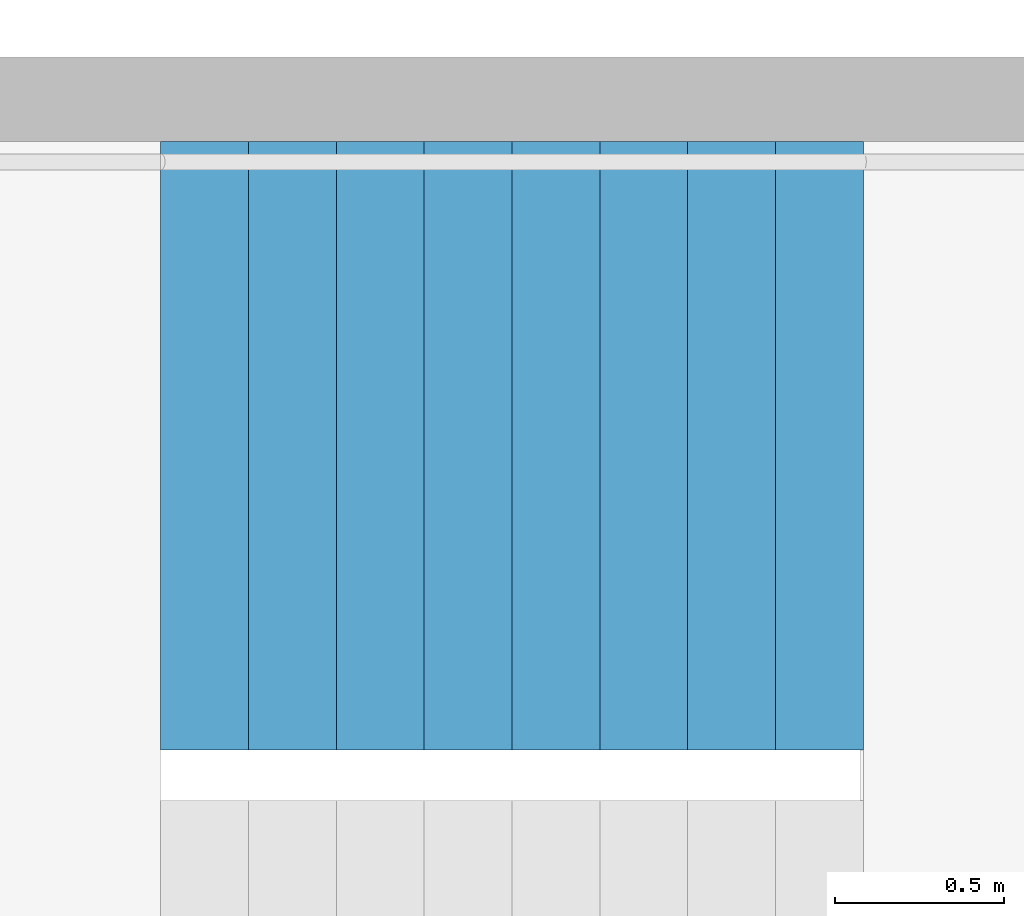
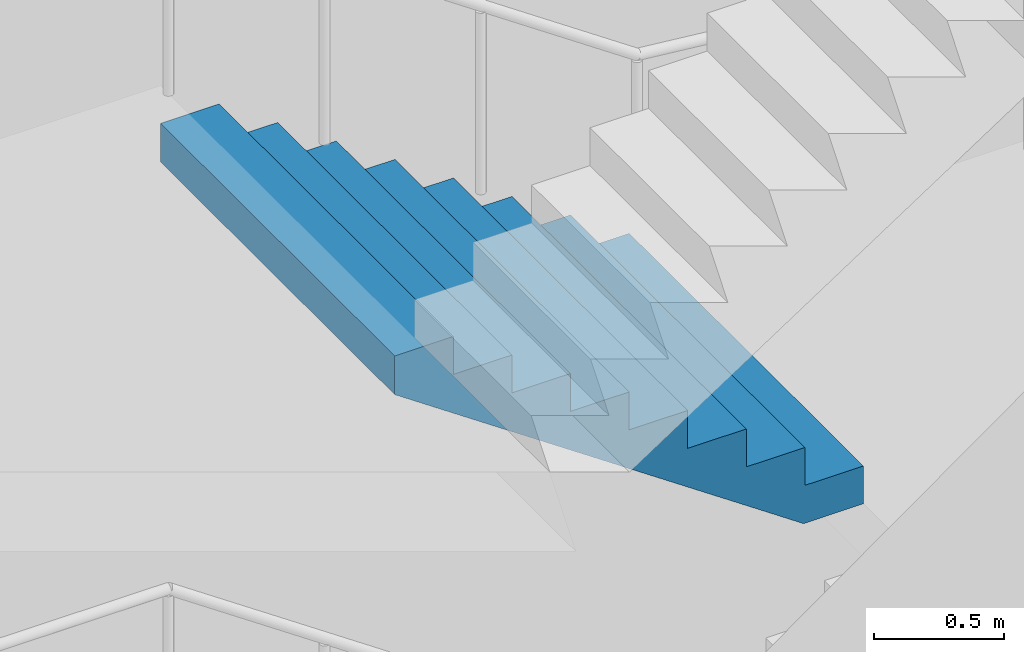
# One storey, part 19 of 42: 1 stair flight, 1 element without a shape of its own.
"""IFC4 building model written with IfcOpenShell, lengths in metres."""

from ifc_helpers import new_model, si_unit, direction, frame, origin, place, context, subcontext, project, spatial, triangles, material, type_object, element, aggregate, save


model = new_model("IFC4")

# Units and contexts
model_context = context("Model", 3, precision=1e-05, world=origin(), true_north=direction((0.0, 1.0)))
body_context = subcontext(model_context, "Body", "Model", "MODEL_VIEW")
ifc_project = project(units=[si_unit("LENGTHUNIT", "METRE"), si_unit("AREAUNIT", "SQUARE_METRE"), si_unit("VOLUMEUNIT", "CUBIC_METRE"), si_unit("PLANEANGLEUNIT", "RADIAN"), si_unit("MASSUNIT", "GRAM", prefix="KILO")], contexts=[model_context])

# Site, building, storey
site_placement = place(None, origin())
site = spatial("IfcSite", under=ifc_project, at=site_placement, CompositionType="ELEMENT")
building_placement = place(site_placement, origin())
building = spatial("IfcBuilding", under=site, at=building_placement, Name="Hakoniwa Tower and Hamabe Station Hall", CompositionType="ELEMENT")
storey_placement = place(building_placement, frame((0.0, 0.0, 232.60009765625)))
storey = spatial("IfcBuildingStorey", under=building, at=storey_placement, Name="L66", CompositionType="ELEMENT", Elevation=232.60009765625)

# Stair, stair flight
ifc_material_1 = material(Name="Concrete C40", Category="concrete")
stair_type = type_object("IfcStairType", Name="ESCAPE STAIR 1800", PredefinedType="HALF_TURN_STAIR", material=ifc_material_1)
stair_placement = place(storey_placement, origin())
stair = element("IfcStair", 1, at=stair_placement, inside=storey, type_object=stair_type, Name="Escape stair ST-2 L66", PredefinedType="HALF_TURN_STAIR")
ifc_material_2 = material(Name="Concrete C40", Category="concrete")
stair_flight_type = type_object("IfcStairFlightType", Name="STAIR FLIGHT 1800", PredefinedType="STRAIGHT", material=ifc_material_2)
stair_flight_placement = place(storey_placement, frame((-23.39990234375, -4.64990234375, 3.199951171875), z_axis=(0.0, 0.0, 1.0), x_axis=(-1.0, 0.0, 0.0)))
stair_flight = element("IfcStairFlight", 2, at=stair_flight_placement, type_object=stair_flight_type, Name="ST-2 flight 3", NumberOfRisers=9, NumberOfTreads=8, PredefinedType="STRAIGHT", RiserHeight=0.177777778, TreadLength=0.26, context=body_context, shape_type="Tessellation", body=[
    triangles([(0.0, 0.89990234375, 0.0), (0.260009765625, 0.89990234375, 0.0), (0.265625, 0.89990234375, 0.0), (0.52001953125, 0.89990234375, 0.174072265625), (0.780029296875, 0.89990234375, 0.351806640625), (1.0400390625, 0.89990234375, 0.529541015625), (1.300048828125, 0.89990234375, 0.707275390625), (1.56005859375, 0.89990234375, 0.885009765625), (1.820068359375, 0.89990234375, 1.062744140625), (2.080078125, 0.89990234375, 1.24072265625), (2.080078125, 0.89990234375, 1.422119140625), (1.820068359375, 0.89990234375, 1.422119140625), (1.820068359375, 0.89990234375, 1.244384765625), (1.56005859375, 0.89990234375, 1.244384765625), (1.56005859375, 0.89990234375, 1.066650390625), (1.300048828125, 0.89990234375, 1.066650390625), (1.300048828125, 0.89990234375, 0.888916015625), (1.0400390625, 0.89990234375, 0.888916015625), (1.0400390625, 0.89990234375, 0.711181640625), (0.780029296875, 0.89990234375, 0.711181640625), (0.780029296875, 0.89990234375, 0.533447265625), (0.52001953125, 0.89990234375, 0.533447265625), (0.52001953125, 0.89990234375, 0.35546875), (0.265625, 0.89990234375, 0.35546875), (0.260009765625, 0.89990234375, 0.35546875), (0.260009765625, 0.89990234375, 0.177734375), (0.0, 0.89990234375, 0.177734375), (0.0, 0.06005859375, 0.0), (0.260009765625, 0.06005859375, 0.0), (0.265625, 0.06005859375, 0.0), (0.52001953125, 0.06005859375, 0.174072265625), (0.780029296875, 0.06005859375, 0.351806640625), (1.0400390625, 0.06005859375, 0.529541015625), (1.300048828125, 0.06005859375, 0.707275390625), (1.56005859375, 0.06005859375, 0.885009765625), (1.820068359375, 0.06005859375, 1.062744140625), (2.080078125, 0.06005859375, 1.24072265625), (2.080078125, 0.06005859375, 1.422119140625), (1.820068359375, 0.06005859375, 1.422119140625), (1.820068359375, 0.06005859375, 1.244384765625), (1.56005859375, 0.06005859375, 1.244384765625), (1.56005859375, 0.06005859375, 1.066650390625), (1.300048828125, 0.06005859375, 1.066650390625), (1.300048828125, 0.06005859375, 0.888916015625), (1.0400390625, 0.06005859375, 0.888916015625), (1.0400390625, 0.06005859375, 0.711181640625), (0.780029296875, 0.06005859375, 0.711181640625), (0.780029296875, 0.06005859375, 0.533447265625), (0.52001953125, 0.06005859375, 0.533447265625), (0.52001953125, 0.06005859375, 0.35546875), (0.265625, 0.06005859375, 0.35546875), (0.260009765625, 0.06005859375, 0.35546875), (0.260009765625, 0.06005859375, 0.177734375), (0.0, 0.06005859375, 0.177734375), (0.0, 0.04296875, 0.0), (0.260009765625, 0.04296875, 0.0), (0.265625, 0.04296875, 0.0), (0.52001953125, 0.04296875, 0.174072265625), (0.780029296875, 0.04296875, 0.351806640625), (1.0400390625, 0.04296875, 0.529541015625), (1.300048828125, 0.04296875, 0.707275390625), (1.56005859375, 0.04296875, 0.885009765625), (1.820068359375, 0.04296875, 1.062744140625), (2.080078125, 0.04296875, 1.24072265625), (2.080078125, 0.04296875, 1.422119140625), (1.820068359375, 0.04296875, 1.422119140625), (1.820068359375, 0.04296875, 1.244384765625), (1.56005859375, 0.04296875, 1.244384765625), (1.56005859375, 0.04296875, 1.066650390625), (1.300048828125, 0.04296875, 1.066650390625), (1.300048828125, 0.04296875, 0.888916015625), (1.0400390625, 0.04296875, 0.888916015625), (1.0400390625, 0.04296875, 0.711181640625), (0.780029296875, 0.04296875, 0.711181640625), (0.780029296875, 0.04296875, 0.533447265625), (0.52001953125, 0.04296875, 0.533447265625), (0.52001953125, 0.04296875, 0.35546875), (0.265625, 0.04296875, 0.35546875), (0.260009765625, 0.04296875, 0.35546875), (0.260009765625, 0.04296875, 0.177734375), (0.0, 0.04296875, 0.177734375), (0.0, 0.025634765625, 0.0), (0.260009765625, 0.025634765625, 0.0), (0.265625, 0.025634765625, 0.0), (0.52001953125, 0.025634765625, 0.174072265625), (0.780029296875, 0.025634765625, 0.351806640625), (1.0400390625, 0.025634765625, 0.529541015625), (1.300048828125, 0.025634765625, 0.707275390625), (1.56005859375, 0.025634765625, 0.885009765625), (1.820068359375, 0.025634765625, 1.062744140625), (2.080078125, 0.025634765625, 1.24072265625), (2.080078125, 0.025634765625, 1.422119140625), (1.820068359375, 0.025634765625, 1.422119140625), (1.820068359375, 0.025634765625, 1.244384765625), (1.56005859375, 0.025634765625, 1.244384765625), (1.56005859375, 0.025634765625, 1.066650390625), (1.300048828125, 0.025634765625, 1.066650390625), (1.300048828125, 0.025634765625, 0.888916015625), (1.0400390625, 0.025634765625, 0.888916015625), (1.0400390625, 0.025634765625, 0.711181640625), (0.780029296875, 0.025634765625, 0.711181640625), (0.780029296875, 0.025634765625, 0.533447265625), (0.52001953125, 0.025634765625, 0.533447265625), (0.52001953125, 0.025634765625, 0.35546875), (0.265625, 0.025634765625, 0.35546875), (0.260009765625, 0.025634765625, 0.35546875), (0.260009765625, 0.025634765625, 0.177734375), (0.0, 0.025634765625, 0.177734375), (0.0, 0.008544921875, 0.0), (0.260009765625, 0.008544921875, 0.0), (0.265625, 0.008544921875, 0.0), (0.52001953125, 0.008544921875, 0.174072265625), (0.780029296875, 0.008544921875, 0.351806640625), (1.0400390625, 0.008544921875, 0.529541015625), (1.300048828125, 0.008544921875, 0.707275390625), (1.56005859375, 0.008544921875, 0.885009765625), (1.820068359375, 0.008544921875, 1.062744140625), (2.080078125, 0.008544921875, 1.24072265625), (2.080078125, 0.008544921875, 1.422119140625), (1.820068359375, 0.008544921875, 1.422119140625), (1.820068359375, 0.008544921875, 1.244384765625), (1.56005859375, 0.008544921875, 1.244384765625), (1.56005859375, 0.008544921875, 1.066650390625), (1.300048828125, 0.008544921875, 1.066650390625), (1.300048828125, 0.008544921875, 0.888916015625), (1.0400390625, 0.008544921875, 0.888916015625), (1.0400390625, 0.008544921875, 0.711181640625), (0.780029296875, 0.008544921875, 0.711181640625), (0.780029296875, 0.008544921875, 0.533447265625), (0.52001953125, 0.008544921875, 0.533447265625), (0.52001953125, 0.008544921875, 0.35546875), (0.265625, 0.008544921875, 0.35546875), (0.260009765625, 0.008544921875, 0.35546875), (0.260009765625, 0.008544921875, 0.177734375), (0.0, 0.008544921875, 0.177734375), (0.0, -0.008544921875, 0.0), (0.260009765625, -0.008544921875, 0.0), (0.265625, -0.008544921875, 0.0), (0.52001953125, -0.008544921875, 0.174072265625), (0.780029296875, -0.008544921875, 0.351806640625), (1.0400390625, -0.008544921875, 0.529541015625), (1.300048828125, -0.008544921875, 0.707275390625), (1.56005859375, -0.008544921875, 0.885009765625), (1.820068359375, -0.008544921875, 1.062744140625), (2.080078125, -0.008544921875, 1.24072265625), (2.080078125, -0.008544921875, 1.422119140625), (1.820068359375, -0.008544921875, 1.422119140625), (1.820068359375, -0.008544921875, 1.244384765625), (1.56005859375, -0.008544921875, 1.244384765625), (1.56005859375, -0.008544921875, 1.066650390625), (1.300048828125, -0.008544921875, 1.066650390625), (1.300048828125, -0.008544921875, 0.888916015625), (1.0400390625, -0.008544921875, 0.888916015625), (1.0400390625, -0.008544921875, 0.711181640625), (0.780029296875, -0.008544921875, 0.711181640625), (0.780029296875, -0.008544921875, 0.533447265625), (0.52001953125, -0.008544921875, 0.533447265625), (0.52001953125, -0.008544921875, 0.35546875), (0.265625, -0.008544921875, 0.35546875), (0.260009765625, -0.008544921875, 0.35546875), (0.260009765625, -0.008544921875, 0.177734375), (0.0, -0.008544921875, 0.177734375), (0.0, -0.025634765625, 0.0), (0.260009765625, -0.025634765625, 0.0), (0.265625, -0.025634765625, 0.0), (0.52001953125, -0.025634765625, 0.174072265625), (0.780029296875, -0.025634765625, 0.351806640625), (1.0400390625, -0.025634765625, 0.529541015625), (1.300048828125, -0.025634765625, 0.707275390625), (1.56005859375, -0.025634765625, 0.885009765625), (1.820068359375, -0.025634765625, 1.062744140625), (2.080078125, -0.025634765625, 1.24072265625), (2.080078125, -0.025634765625, 1.422119140625), (1.820068359375, -0.025634765625, 1.422119140625), (1.820068359375, -0.025634765625, 1.244384765625), (1.56005859375, -0.025634765625, 1.244384765625), (1.56005859375, -0.025634765625, 1.066650390625), (1.300048828125, -0.025634765625, 1.066650390625), (1.300048828125, -0.025634765625, 0.888916015625), (1.0400390625, -0.025634765625, 0.888916015625), (1.0400390625, -0.025634765625, 0.711181640625), (0.780029296875, -0.025634765625, 0.711181640625), (0.780029296875, -0.025634765625, 0.533447265625), (0.52001953125, -0.025634765625, 0.533447265625), (0.52001953125, -0.025634765625, 0.35546875), (0.265625, -0.025634765625, 0.35546875), (0.260009765625, -0.025634765625, 0.35546875), (0.260009765625, -0.025634765625, 0.177734375), (0.0, -0.025634765625, 0.177734375), (0.0, -0.04296875, 0.0), (0.260009765625, -0.04296875, 0.0), (0.265625, -0.04296875, 0.0), (0.52001953125, -0.04296875, 0.174072265625), (0.780029296875, -0.04296875, 0.351806640625), (1.0400390625, -0.04296875, 0.529541015625), (1.300048828125, -0.04296875, 0.707275390625), (1.56005859375, -0.04296875, 0.885009765625), (1.820068359375, -0.04296875, 1.062744140625), (2.080078125, -0.04296875, 1.24072265625), (2.080078125, -0.04296875, 1.422119140625), (1.820068359375, -0.04296875, 1.422119140625), (1.820068359375, -0.04296875, 1.244384765625), (1.56005859375, -0.04296875, 1.244384765625), (1.56005859375, -0.04296875, 1.066650390625), (1.300048828125, -0.04296875, 1.066650390625), (1.300048828125, -0.04296875, 0.888916015625), (1.0400390625, -0.04296875, 0.888916015625), (1.0400390625, -0.04296875, 0.711181640625), (0.780029296875, -0.04296875, 0.711181640625), (0.780029296875, -0.04296875, 0.533447265625), (0.52001953125, -0.04296875, 0.533447265625), (0.52001953125, -0.04296875, 0.35546875), (0.265625, -0.04296875, 0.35546875), (0.260009765625, -0.04296875, 0.35546875), (0.260009765625, -0.04296875, 0.177734375), (0.0, -0.04296875, 0.177734375), (0.0, -0.06005859375, 0.0), (0.260009765625, -0.06005859375, 0.0), (0.265625, -0.06005859375, 0.0), (0.52001953125, -0.06005859375, 0.174072265625), (0.780029296875, -0.06005859375, 0.351806640625), (1.0400390625, -0.06005859375, 0.529541015625), (1.300048828125, -0.06005859375, 0.707275390625), (1.56005859375, -0.06005859375, 0.885009765625), (1.820068359375, -0.06005859375, 1.062744140625), (2.080078125, -0.06005859375, 1.24072265625), (2.080078125, -0.06005859375, 1.422119140625), (1.820068359375, -0.06005859375, 1.422119140625), (1.820068359375, -0.06005859375, 1.244384765625), (1.56005859375, -0.06005859375, 1.244384765625), (1.56005859375, -0.06005859375, 1.066650390625), (1.300048828125, -0.06005859375, 1.066650390625), (1.300048828125, -0.06005859375, 0.888916015625), (1.0400390625, -0.06005859375, 0.888916015625), (1.0400390625, -0.06005859375, 0.711181640625), (0.780029296875, -0.06005859375, 0.711181640625), (0.780029296875, -0.06005859375, 0.533447265625), (0.52001953125, -0.06005859375, 0.533447265625), (0.52001953125, -0.06005859375, 0.35546875), (0.265625, -0.06005859375, 0.35546875), (0.260009765625, -0.06005859375, 0.35546875), (0.260009765625, -0.06005859375, 0.177734375), (0.0, -0.06005859375, 0.177734375), (0.0, -0.89990234375, 0.0), (0.260009765625, -0.89990234375, 0.0), (0.265625, -0.89990234375, 0.0), (0.52001953125, -0.89990234375, 0.174072265625), (0.780029296875, -0.89990234375, 0.351806640625), (1.0400390625, -0.89990234375, 0.529541015625), (1.300048828125, -0.89990234375, 0.707275390625), (1.56005859375, -0.89990234375, 0.885009765625), (1.820068359375, -0.89990234375, 1.062744140625), (2.080078125, -0.89990234375, 1.24072265625), (2.080078125, -0.89990234375, 1.422119140625), (1.820068359375, -0.89990234375, 1.422119140625), (1.820068359375, -0.89990234375, 1.244384765625), (1.56005859375, -0.89990234375, 1.244384765625), (1.56005859375, -0.89990234375, 1.066650390625), (1.300048828125, -0.89990234375, 1.066650390625), (1.300048828125, -0.89990234375, 0.888916015625), (1.0400390625, -0.89990234375, 0.888916015625), (1.0400390625, -0.89990234375, 0.711181640625), (0.780029296875, -0.89990234375, 0.711181640625), (0.780029296875, -0.89990234375, 0.533447265625), (0.52001953125, -0.89990234375, 0.533447265625), (0.52001953125, -0.89990234375, 0.35546875), (0.265625, -0.89990234375, 0.35546875), (0.260009765625, -0.89990234375, 0.35546875), (0.260009765625, -0.89990234375, 0.177734375), (0.0, -0.89990234375, 0.177734375)], [[2, 27, 26], [245, 269, 270], [2, 1, 27], [245, 270, 244], [3, 25, 24], [246, 267, 268], [3, 26, 25], [246, 268, 269], [3, 2, 26], [246, 269, 245], [4, 24, 23], [247, 266, 267], [4, 3, 24], [247, 267, 246], [5, 22, 21], [248, 264, 265], [5, 23, 22], [248, 265, 266], [5, 4, 23], [248, 266, 247], [6, 20, 19], [249, 262, 263], [6, 21, 20], [249, 263, 264], [6, 5, 21], [249, 264, 248], [7, 18, 17], [250, 260, 261], [7, 19, 18], [250, 261, 262], [7, 6, 19], [250, 262, 249], [8, 16, 15], [251, 258, 259], [8, 17, 16], [251, 259, 260], [8, 7, 17], [251, 260, 250], [9, 14, 13], [252, 256, 257], [9, 15, 14], [252, 257, 258], [9, 8, 15], [252, 258, 251], [10, 12, 11], [253, 254, 255], [10, 13, 12], [253, 255, 256], [10, 9, 13], [253, 256, 252], [1, 2, 29], [1, 29, 28], [28, 29, 56], [28, 56, 55], [55, 56, 83], [55, 83, 82], [82, 83, 110], [82, 110, 109], [109, 110, 137], [109, 137, 136], [136, 137, 164], [136, 164, 163], [163, 164, 191], [163, 191, 190], [190, 191, 218], [190, 218, 217], [217, 218, 245], [217, 245, 244], [2, 3, 30], [2, 30, 29], [29, 30, 57], [29, 57, 56], [56, 57, 84], [56, 84, 83], [83, 84, 111], [83, 111, 110], [110, 111, 138], [110, 138, 137], [137, 138, 165], [137, 165, 164], [164, 165, 192], [164, 192, 191], [191, 192, 219], [191, 219, 218], [218, 219, 246], [218, 246, 245], [3, 4, 31], [3, 31, 30], [30, 31, 58], [30, 58, 57], [57, 58, 85], [57, 85, 84], [84, 85, 112], [84, 112, 111], [111, 112, 139], [111, 139, 138], [138, 139, 166], [138, 166, 165], [165, 166, 193], [165, 193, 192], [192, 193, 220], [192, 220, 219], [219, 220, 247], [219, 247, 246], [4, 5, 32], [4, 32, 31], [31, 32, 59], [31, 59, 58], [58, 59, 86], [58, 86, 85], [85, 86, 113], [85, 113, 112], [112, 113, 140], [112, 140, 139], [139, 140, 167], [139, 167, 166], [166, 167, 194], [166, 194, 193], [193, 194, 221], [193, 221, 220], [220, 221, 248], [220, 248, 247], [5, 6, 33], [5, 33, 32], [32, 33, 60], [32, 60, 59], [59, 60, 87], [59, 87, 86], [86, 87, 114], [86, 114, 113], [113, 114, 141], [113, 141, 140], [140, 141, 168], [140, 168, 167], [167, 168, 195], [167, 195, 194], [194, 195, 222], [194, 222, 221], [221, 222, 249], [221, 249, 248], [6, 7, 34], [6, 34, 33], [33, 34, 61], [33, 61, 60], [60, 61, 88], [60, 88, 87], [87, 88, 115], [87, 115, 114], [114, 115, 142], [114, 142, 141], [141, 142, 169], [141, 169, 168], [168, 169, 196], [168, 196, 195], [195, 196, 223], [195, 223, 222], [222, 223, 250], [222, 250, 249], [7, 8, 35], [7, 35, 34], [34, 35, 62], [34, 62, 61], [61, 62, 89], [61, 89, 88], [88, 89, 116], [88, 116, 115], [115, 116, 143], [115, 143, 142], [142, 143, 170], [142, 170, 169], [169, 170, 197], [169, 197, 196], [196, 197, 224], [196, 224, 223], [223, 224, 251], [223, 251, 250], [8, 9, 36], [8, 36, 35], [35, 36, 63], [35, 63, 62], [62, 63, 90], [62, 90, 89], [89, 90, 117], [89, 117, 116], [116, 117, 144], [116, 144, 143], [143, 144, 171], [143, 171, 170], [170, 171, 198], [170, 198, 197], [197, 198, 225], [197, 225, 224], [224, 225, 252], [224, 252, 251], [9, 10, 37], [9, 37, 36], [36, 37, 64], [36, 64, 63], [63, 64, 91], [63, 91, 90], [90, 91, 118], [90, 118, 117], [117, 118, 145], [117, 145, 144], [144, 145, 172], [144, 172, 171], [171, 172, 199], [171, 199, 198], [198, 199, 226], [198, 226, 225], [225, 226, 253], [225, 253, 252], [10, 11, 38], [10, 38, 37], [37, 38, 65], [37, 65, 64], [64, 65, 92], [64, 92, 91], [91, 92, 119], [91, 119, 118], [118, 119, 146], [118, 146, 145], [145, 146, 173], [145, 173, 172], [172, 173, 200], [172, 200, 199], [199, 200, 227], [199, 227, 226], [226, 227, 254], [226, 254, 253], [11, 12, 39], [11, 39, 38], [38, 39, 66], [38, 66, 65], [65, 66, 93], [65, 93, 92], [92, 93, 120], [92, 120, 119], [119, 120, 147], [119, 147, 146], [146, 147, 174], [146, 174, 173], [173, 174, 201], [173, 201, 200], [200, 201, 228], [200, 228, 227], [227, 228, 255], [227, 255, 254], [12, 13, 40], [12, 40, 39], [39, 40, 67], [39, 67, 66], [66, 67, 94], [66, 94, 93], [93, 94, 121], [93, 121, 120], [120, 121, 148], [120, 148, 147], [147, 148, 175], [147, 175, 174], [174, 175, 202], [174, 202, 201], [201, 202, 229], [201, 229, 228], [228, 229, 256], [228, 256, 255], [13, 14, 41], [13, 41, 40], [40, 41, 68], [40, 68, 67], [67, 68, 95], [67, 95, 94], [94, 95, 122], [94, 122, 121], [121, 122, 149], [121, 149, 148], [148, 149, 176], [148, 176, 175], [175, 176, 203], [175, 203, 202], [202, 203, 230], [202, 230, 229], [229, 230, 257], [229, 257, 256], [14, 15, 42], [14, 42, 41], [41, 42, 69], [41, 69, 68], [68, 69, 96], [68, 96, 95], [95, 96, 123], [95, 123, 122], [122, 123, 150], [122, 150, 149], [149, 150, 177], [149, 177, 176], [176, 177, 204], [176, 204, 203], [203, 204, 231], [203, 231, 230], [230, 231, 258], [230, 258, 257], [15, 16, 43], [15, 43, 42], [42, 43, 70], [42, 70, 69], [69, 70, 97], [69, 97, 96], [96, 97, 124], [96, 124, 123], [123, 124, 151], [123, 151, 150], [150, 151, 178], [150, 178, 177], [177, 178, 205], [177, 205, 204], [204, 205, 232], [204, 232, 231], [231, 232, 259], [231, 259, 258], [16, 17, 44], [16, 44, 43], [43, 44, 71], [43, 71, 70], [70, 71, 98], [70, 98, 97], [97, 98, 125], [97, 125, 124], [124, 125, 152], [124, 152, 151], [151, 152, 179], [151, 179, 178], [178, 179, 206], [178, 206, 205], [205, 206, 233], [205, 233, 232], [232, 233, 260], [232, 260, 259], [17, 18, 45], [17, 45, 44], [44, 45, 72], [44, 72, 71], [71, 72, 99], [71, 99, 98], [98, 99, 126], [98, 126, 125], [125, 126, 153], [125, 153, 152], [152, 153, 180], [152, 180, 179], [179, 180, 207], [179, 207, 206], [206, 207, 234], [206, 234, 233], [233, 234, 261], [233, 261, 260], [18, 19, 46], [18, 46, 45], [45, 46, 73], [45, 73, 72], [72, 73, 100], [72, 100, 99], [99, 100, 127], [99, 127, 126], [126, 127, 154], [126, 154, 153], [153, 154, 181], [153, 181, 180], [180, 181, 208], [180, 208, 207], [207, 208, 235], [207, 235, 234], [234, 235, 262], [234, 262, 261], [19, 20, 47], [19, 47, 46], [46, 47, 74], [46, 74, 73], [73, 74, 101], [73, 101, 100], [100, 101, 128], [100, 128, 127], [127, 128, 155], [127, 155, 154], [154, 155, 182], [154, 182, 181], [181, 182, 209], [181, 209, 208], [208, 209, 236], [208, 236, 235], [235, 236, 263], [235, 263, 262], [20, 21, 48], [20, 48, 47], [47, 48, 75], [47, 75, 74], [74, 75, 102], [74, 102, 101], [101, 102, 129], [101, 129, 128], [128, 129, 156], [128, 156, 155], [155, 156, 183], [155, 183, 182], [182, 183, 210], [182, 210, 209], [209, 210, 237], [209, 237, 236], [236, 237, 264], [236, 264, 263], [21, 22, 49], [21, 49, 48], [48, 49, 76], [48, 76, 75], [75, 76, 103], [75, 103, 102], [102, 103, 130], [102, 130, 129], [129, 130, 157], [129, 157, 156], [156, 157, 184], [156, 184, 183], [183, 184, 211], [183, 211, 210], [210, 211, 238], [210, 238, 237], [237, 238, 265], [237, 265, 264], [22, 23, 50], [22, 50, 49], [49, 50, 77], [49, 77, 76], [76, 77, 104], [76, 104, 103], [103, 104, 131], [103, 131, 130], [130, 131, 158], [130, 158, 157], [157, 158, 185], [157, 185, 184], [184, 185, 212], [184, 212, 211], [211, 212, 239], [211, 239, 238], [238, 239, 266], [238, 266, 265], [23, 24, 51], [23, 51, 50], [50, 51, 78], [50, 78, 77], [77, 78, 105], [77, 105, 104], [104, 105, 132], [104, 132, 131], [131, 132, 159], [131, 159, 158], [158, 159, 186], [158, 186, 185], [185, 186, 213], [185, 213, 212], [212, 213, 240], [212, 240, 239], [239, 240, 267], [239, 267, 266], [24, 25, 52], [24, 52, 51], [51, 52, 79], [51, 79, 78], [78, 79, 106], [78, 106, 105], [105, 106, 133], [105, 133, 132], [132, 133, 160], [132, 160, 159], [159, 160, 187], [159, 187, 186], [186, 187, 214], [186, 214, 213], [213, 214, 241], [213, 241, 240], [240, 241, 268], [240, 268, 267], [25, 26, 53], [25, 53, 52], [52, 53, 80], [52, 80, 79], [79, 80, 107], [79, 107, 106], [106, 107, 134], [106, 134, 133], [133, 134, 161], [133, 161, 160], [160, 161, 188], [160, 188, 187], [187, 188, 215], [187, 215, 214], [214, 215, 242], [214, 242, 241], [241, 242, 269], [241, 269, 268], [26, 27, 54], [26, 54, 53], [53, 54, 81], [53, 81, 80], [80, 81, 108], [80, 108, 107], [107, 108, 135], [107, 135, 134], [134, 135, 162], [134, 162, 161], [161, 162, 189], [161, 189, 188], [188, 189, 216], [188, 216, 215], [215, 216, 243], [215, 243, 242], [242, 243, 270], [242, 270, 269], [27, 1, 28], [27, 28, 54], [54, 28, 55], [54, 55, 81], [81, 55, 82], [81, 82, 108], [108, 82, 109], [108, 109, 135], [135, 109, 136], [135, 136, 162], [162, 136, 163], [162, 163, 189], [189, 163, 190], [189, 190, 216], [216, 190, 217], [216, 217, 243], [243, 217, 244], [243, 244, 270]], closed=True),
])
aggregate(stair, [stair_flight])

save(model, "model.ifc")
